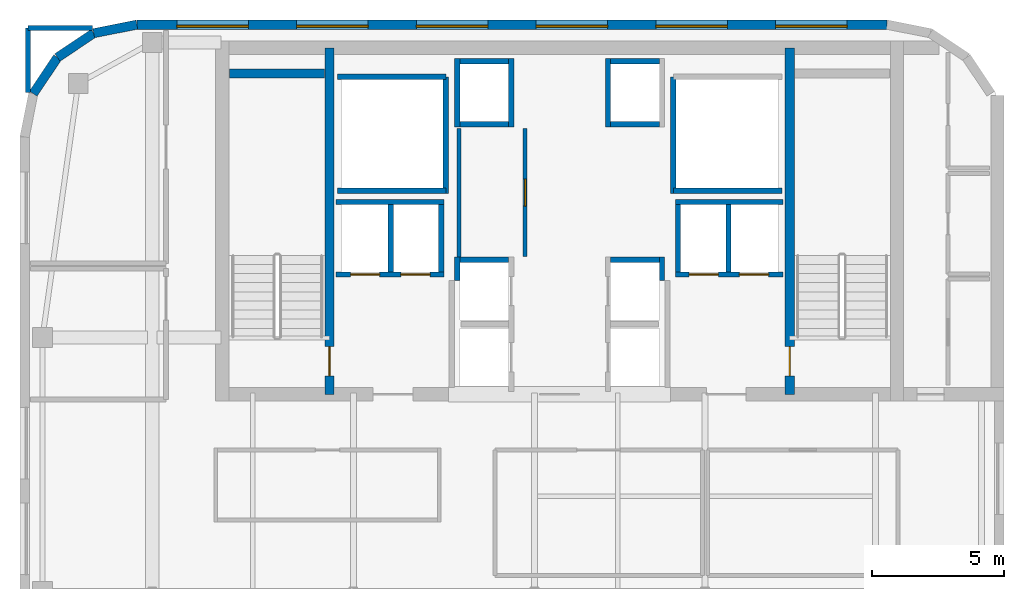
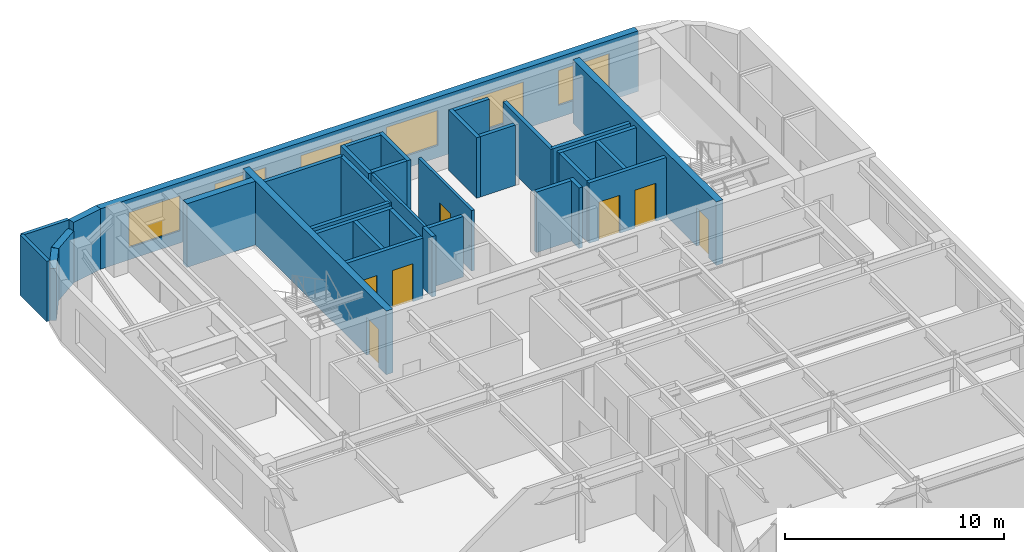
# One storey, part 6 of 8: 35 walls, 7 doors, 6 windows, 13 openings.
"""IFC4 building model written with IfcOpenShell, lengths in metres."""

from ifc_helpers import new_model, si_unit, direction, frame, frame_2d, origin, place, context, subcontext, project, spatial, rectangle, extrude, source, transform, mapped, material, layer, layer_set, type_object, type_shapes, element, fill, save


model = new_model("IFC4")

# Units and contexts
model_context = context("Model", 3, precision=1e-05, world=origin(), true_north=direction((0.0, 1.0)))
body_context = subcontext(model_context, "Body", "Model", "MODEL_VIEW")
ifc_project = project(units=[si_unit("LENGTHUNIT", "METRE"), si_unit("AREAUNIT", "SQUARE_METRE"), si_unit("VOLUMEUNIT", "CUBIC_METRE"), si_unit("PLANEANGLEUNIT", "RADIAN"), si_unit("MASSUNIT", "GRAM", prefix="KILO")], contexts=[model_context])

# Site, building, storey
site_placement = place(None, origin())
site = spatial("IfcSite", under=ifc_project, at=site_placement, CompositionType="ELEMENT")
building_placement = place(site_placement, origin())
building = spatial("IfcBuilding", under=site, at=building_placement, Name="Tolvann Quenvar Hotel", CompositionType="ELEMENT")
storey_placement = place(building_placement, frame((0.0, 0.0, 231.0)))
storey = spatial("IfcBuildingStorey", under=building, at=storey_placement, Name="L61", CompositionType="ELEMENT", Elevation=231.0)

# Wall, opening, door
ifc_material_1 = material(Name="Concrete S65 (65 MPa)", Category="concrete")
ifc_layer_1 = layer(ifc_material_1, 0.35009765625)
ifc_layer_set_1 = layer_set([ifc_layer_1], Name="Concrete S65 (65 MPa)")
wall_type_1 = type_object("IfcWallType", Name="WALL_CORE_INT_350", PredefinedType="SHEAR", material=ifc_layer_set_1)
wall_1_placement = place(storey_placement, frame((14.300048828125, 31.85009765625, 0.0), z_axis=(0.0, 0.0, 1.0), x_axis=(0.0, 1.0, 0.0)))
wall_1 = element("IfcWall", 1, at=wall_1_placement, inside=storey, type_object=wall_type_1, Name="Core Internal Web Shear Wall WEB-W (L61)", PredefinedType="SHEAR", context=body_context, shape_type="SweptSolid", body=[
    extrude(rectangle(XDim=13.099853515625, YDim=0.35009765625, at=frame_2d((6.5498046875, 0.0))), origin(), (0.0, 0.0, 1.0), 3.550048828125),
])
opening_1_placement = place(wall_1_placement, frame((0.699951171875, 0.0, 0.0)))
opening_1 = element("IfcOpeningElement", 2, at=opening_1_placement, cuts=wall_1, Name="Opening FD-120", PredefinedType="OPENING", context=body_context, shape_type="SweptSolid", body=[
    extrude(rectangle(XDim=1.10009765625, YDim=2.1201171875, at=frame_2d((0.550048828125, 1.06005859375))), frame((0.0, 0.18505859375, 0.0), z_axis=(0.0, -1.0, 0.0), x_axis=(1.0, 0.0, 0.0)), (0.0, 0.0, 1.0), 0.3701171875),
])
ifc_material_2 = material(Name="Pressed galvanised steel fire-rated door set", Category="steel")
door_type_1 = type_object("IfcDoorType", Name="DOOR_FIRE_STAIR_1100", OperationType="NOTDEFINED", PredefinedType="DOOR", material=ifc_material_2)
shared_shape_1 = source(origin(), body_context, "Body", "SweptSolid", [
    extrude(rectangle(XDim=1.10009765625, YDim=2.1201171875, at=frame_2d((0.550048828125, 1.06005859375))), frame((0.0, 0.02490234375, 0.0), z_axis=(0.0, -1.0, 0.0), x_axis=(1.0, 0.0, 0.0)), (0.0, 0.0, 1.0), 0.050048828125),
])
type_shapes(door_type_1, [shared_shape_1])
door_1_placement = place(opening_1_placement, origin())
door_1 = element("IfcDoor", 3, at=door_1_placement, inside=storey, type_object=door_type_1, Name="Exit Stair ST-C1 Fire Door (L61)", OperationType="SINGLE_SWING_RIGHT", OverallHeight=2.1201171875, OverallWidth=1.10009765625, PredefinedType="DOOR", context=body_context, shape_type="MappedRepresentation", body=[
    mapped(shared_shape_1, transform((0.0, 0.0, 0.0), x_axis=(1.0, 0.0, 0.0), y_axis=(0.0, 1.0, 0.0), z_axis=(0.0, 0.0, 1.0), scale=1.0)),
])
fill(opening_1, door_1)

wall_2_placement = place(storey_placement, frame((31.699951171875, 31.85009765625, 0.0), z_axis=(0.0, 0.0, 1.0), x_axis=(0.0, 1.0, 0.0)))
wall_2 = element("IfcWall", 4, at=wall_2_placement, inside=storey, type_object=wall_type_1, Name="Core Internal Web Shear Wall WEB-E (L61)", PredefinedType="SHEAR", context=body_context, shape_type="SweptSolid", body=[
    extrude(rectangle(XDim=13.099853515625, YDim=0.35009765625, at=frame_2d((6.5498046875, 0.0))), origin(), (0.0, 0.0, 1.0), 3.550048828125),
])
opening_2_placement = place(wall_2_placement, frame((1.800048828125, 0.0, 0.0), z_axis=(0.0, 0.0, 1.0), x_axis=(-1.0, 0.0, 0.0)))
opening_2 = element("IfcOpeningElement", 5, at=opening_2_placement, cuts=wall_2, Name="Opening FD-120", PredefinedType="OPENING", context=body_context, shape_type="SweptSolid", body=[
    extrude(rectangle(XDim=1.10009765625, YDim=2.1201171875, at=frame_2d((0.550048828125, 1.06005859375))), frame((0.0, 0.18505859375, 0.0), z_axis=(0.0, -1.0, 0.0), x_axis=(1.0, 0.0, 0.0)), (0.0, 0.0, 1.0), 0.3701171875),
])
door_2_placement = place(opening_2_placement, origin())
door_2 = element("IfcDoor", 6, at=door_2_placement, inside=storey, type_object=door_type_1, Name="Exit Stair ST-C2 Fire Door (L61)", OperationType="SINGLE_SWING_LEFT", OverallHeight=2.1201171875, OverallWidth=1.10009765625, PredefinedType="DOOR", context=body_context, shape_type="MappedRepresentation", body=[
    mapped(shared_shape_1, transform((0.0, 0.0, 0.0), x_axis=(1.0, 0.0, 0.0), y_axis=(0.0, 1.0, 0.0), z_axis=(0.0, 0.0, 1.0), scale=1.0)),
])
fill(opening_2, door_2)

# Wall
wall_3_placement = place(storey_placement, frame((10.52001953125, 43.97509765625, 0.0), z_axis=(0.0, 0.0, 1.0), x_axis=(1.0, 0.0, 0.0)))
element("IfcWall", 7, at=wall_3_placement, inside=storey, type_object=wall_type_1, Name="Core Stair North Closing Shear Wall STC1-N (L61)", PredefinedType="SHEAR", context=body_context, shape_type="SweptSolid", body=[
    extrude(rectangle(XDim=3.60009765625, YDim=0.35009765625, at=frame_2d((1.800048828125, 0.0))), origin(), (0.0, 0.0, 1.0), 3.550048828125),
])

# Wall, openings, windows
ifc_material_3 = material(Name="Kiln-fired red and buff architectural clay brickwork and terracotta masonry", Category="masonry")
ifc_layer_2 = layer(ifc_material_3, 0.35009765625)
ifc_layer_set_2 = layer_set([ifc_layer_2], Name="Kiln-fired red and buff architectural clay brickwork and terracotta masonry")
wall_type_2 = type_object("IfcWallType", Name="WALL_EXT_BRICK_350", PredefinedType="SOLIDWALL", material=ifc_layer_set_2)
wall_4_placement = place(storey_placement, frame((35.3828125, 45.824951171875, 0.0), z_axis=(0.0, 0.0, 1.0), x_axis=(-1.0, 0.0, 0.0)))
wall_4 = element("IfcWall", 8, at=wall_4_placement, inside=storey, type_object=wall_type_2, Name="Exterior Chicago Brick Wall L61-E14", PredefinedType="SOLIDWALL", context=body_context, shape_type="SweptSolid", body=[
    extrude(rectangle(XDim=28.36572265625, YDim=0.35009765625, at=frame_2d((14.182861328125, 0.0))), origin(), (0.0, 0.0, 1.0), 3.3701171875),
])
opening_3_placement = place(wall_4_placement, frame((1.513916015625, 0.0, 0.679931640625)))
opening_3 = element("IfcOpeningElement", 9, at=opening_3_placement, cuts=wall_4, Name="Opening W-04", PredefinedType="OPENING", context=body_context, shape_type="SweptSolid", body=[
    extrude(rectangle(XDim=2.699951171875, YDim=1.949951171875, at=frame_2d((1.35009765625, 0.97509765625))), frame((0.0, 0.18505859375, 0.0), z_axis=(0.0, -1.0, 0.0), x_axis=(1.0, 0.0, 0.0)), (0.0, 0.0, 1.0), 0.3701171875),
])
opening_4_placement = place(wall_4_placement, frame((6.041015625, 0.0, 0.679931640625)))
opening_4 = element("IfcOpeningElement", 10, at=opening_4_placement, cuts=wall_4, Name="Opening W-04", PredefinedType="OPENING", context=body_context, shape_type="SweptSolid", body=[
    extrude(rectangle(XDim=2.699951171875, YDim=1.949951171875, at=frame_2d((1.35009765625, 0.97509765625))), frame((0.0, 0.18505859375, 0.0), z_axis=(0.0, -1.0, 0.0), x_axis=(1.0, 0.0, 0.0)), (0.0, 0.0, 1.0), 0.3701171875),
])
opening_5_placement = place(wall_4_placement, frame((10.569091796875, 0.0, 0.679931640625)))
opening_5 = element("IfcOpeningElement", 11, at=opening_5_placement, cuts=wall_4, Name="Opening W-04", PredefinedType="OPENING", context=body_context, shape_type="SweptSolid", body=[
    extrude(rectangle(XDim=2.699951171875, YDim=1.949951171875, at=frame_2d((1.35009765625, 0.97509765625))), frame((0.0, 0.18505859375, 0.0), z_axis=(0.0, -1.0, 0.0), x_axis=(1.0, 0.0, 0.0)), (0.0, 0.0, 1.0), 0.3701171875),
])
opening_6_placement = place(wall_4_placement, frame((15.096923828125, 0.0, 0.679931640625)))
opening_6 = element("IfcOpeningElement", 12, at=opening_6_placement, cuts=wall_4, Name="Opening W-04", PredefinedType="OPENING", context=body_context, shape_type="SweptSolid", body=[
    extrude(rectangle(XDim=2.699951171875, YDim=1.949951171875, at=frame_2d((1.35009765625, 0.97509765625))), frame((0.0, 0.18505859375, 0.0), z_axis=(0.0, -1.0, 0.0), x_axis=(1.0, 0.0, 0.0)), (0.0, 0.0, 1.0), 0.3701171875),
])
opening_7_placement = place(wall_4_placement, frame((19.6240234375, 0.0, 0.679931640625)))
opening_7 = element("IfcOpeningElement", 13, at=opening_7_placement, cuts=wall_4, Name="Opening W-04", PredefinedType="OPENING", context=body_context, shape_type="SweptSolid", body=[
    extrude(rectangle(XDim=2.699951171875, YDim=1.949951171875, at=frame_2d((1.35009765625, 0.97509765625))), frame((0.0, 0.18505859375, 0.0), z_axis=(0.0, -1.0, 0.0), x_axis=(1.0, 0.0, 0.0)), (0.0, 0.0, 1.0), 0.3701171875),
])
opening_8_placement = place(wall_4_placement, frame((24.152099609375, 0.0, 0.679931640625)))
opening_8 = element("IfcOpeningElement", 14, at=opening_8_placement, cuts=wall_4, Name="Opening W-04", PredefinedType="OPENING", context=body_context, shape_type="SweptSolid", body=[
    extrude(rectangle(XDim=2.699951171875, YDim=1.949951171875, at=frame_2d((1.35009765625, 0.97509765625))), frame((0.0, 0.18505859375, 0.0), z_axis=(0.0, -1.0, 0.0), x_axis=(1.0, 0.0, 0.0)), (0.0, 0.0, 1.0), 0.3701171875),
])
ifc_material_4 = material(Name="Thermally broken bronze-anodised aluminium frame with double low-E glazing", Category="aluminium")
window_type = type_object("IfcWindowType", Name="WIN_STE_2700x2150", PartitioningType="TRIPLE_PANEL_HORIZONTAL", PredefinedType="WINDOW", material=ifc_material_4)
shared_shape_2 = source(origin(), body_context, "Body", "SweptSolid", [
    extrude(rectangle(XDim=2.699951171875, YDim=1.949951171875, at=frame_2d((1.35009765625, 0.97509765625))), frame((0.0, 0.090087890625, 0.0), z_axis=(0.0, -1.0, 0.0), x_axis=(1.0, 0.0, 0.0)), (0.0, 0.0, 1.0), 0.06005859375),
])
type_shapes(window_type, [shared_shape_2])
window_1_placement = place(opening_3_placement, origin())
window_1 = element("IfcWindow", 15, at=window_1_placement, inside=storey, type_object=window_type, Name="Chicago Window W-04 (EW-L61-E14-W01)", OverallHeight=1.949951171875, OverallWidth=2.699951171875, PartitioningType="TRIPLE_PANEL_HORIZONTAL", PredefinedType="WINDOW", context=body_context, shape_type="MappedRepresentation", body=[
    mapped(shared_shape_2, transform((0.0, 0.0, 0.0), x_axis=(1.0, 0.0, 0.0), y_axis=(0.0, 1.0, 0.0), z_axis=(0.0, 0.0, 1.0), scale=1.0)),
])
fill(opening_3, window_1)
window_2_placement = place(opening_4_placement, origin())
window_2 = element("IfcWindow", 16, at=window_2_placement, inside=storey, type_object=window_type, Name="Chicago Window W-04 (EW-L61-E14-W02)", OverallHeight=1.949951171875, OverallWidth=2.699951171875, PartitioningType="TRIPLE_PANEL_HORIZONTAL", PredefinedType="WINDOW", context=body_context, shape_type="MappedRepresentation", body=[
    mapped(shared_shape_2, transform((0.0, 0.0, 0.0), x_axis=(1.0, 0.0, 0.0), y_axis=(0.0, 1.0, 0.0), z_axis=(0.0, 0.0, 1.0), scale=1.0)),
])
fill(opening_4, window_2)
window_3_placement = place(opening_5_placement, origin())
window_3 = element("IfcWindow", 17, at=window_3_placement, inside=storey, type_object=window_type, Name="Chicago Window W-04 (EW-L61-E14-W03)", OverallHeight=1.949951171875, OverallWidth=2.699951171875, PartitioningType="TRIPLE_PANEL_HORIZONTAL", PredefinedType="WINDOW", context=body_context, shape_type="MappedRepresentation", body=[
    mapped(shared_shape_2, transform((0.0, 0.0, 0.0), x_axis=(1.0, 0.0, 0.0), y_axis=(0.0, 1.0, 0.0), z_axis=(0.0, 0.0, 1.0), scale=1.0)),
])
fill(opening_5, window_3)
window_4_placement = place(opening_6_placement, origin())
window_4 = element("IfcWindow", 18, at=window_4_placement, inside=storey, type_object=window_type, Name="Chicago Window W-04 (EW-L61-E14-W04)", OverallHeight=1.949951171875, OverallWidth=2.699951171875, PartitioningType="TRIPLE_PANEL_HORIZONTAL", PredefinedType="WINDOW", context=body_context, shape_type="MappedRepresentation", body=[
    mapped(shared_shape_2, transform((0.0, 0.0, 0.0), x_axis=(1.0, 0.0, 0.0), y_axis=(0.0, 1.0, 0.0), z_axis=(0.0, 0.0, 1.0), scale=1.0)),
])
fill(opening_6, window_4)
window_5_placement = place(opening_7_placement, origin())
window_5 = element("IfcWindow", 19, at=window_5_placement, inside=storey, type_object=window_type, Name="Chicago Window W-04 (EW-L61-E14-W05)", OverallHeight=1.949951171875, OverallWidth=2.699951171875, PartitioningType="TRIPLE_PANEL_HORIZONTAL", PredefinedType="WINDOW", context=body_context, shape_type="MappedRepresentation", body=[
    mapped(shared_shape_2, transform((0.0, 0.0, 0.0), x_axis=(1.0, 0.0, 0.0), y_axis=(0.0, 1.0, 0.0), z_axis=(0.0, 0.0, 1.0), scale=1.0)),
])
fill(opening_7, window_5)
window_6_placement = place(opening_8_placement, origin())
window_6 = element("IfcWindow", 20, at=window_6_placement, inside=storey, type_object=window_type, Name="Chicago Window W-04 (EW-L61-E14-W06)", OverallHeight=1.949951171875, OverallWidth=2.699951171875, PartitioningType="TRIPLE_PANEL_HORIZONTAL", PredefinedType="WINDOW", context=body_context, shape_type="MappedRepresentation", body=[
    mapped(shared_shape_2, transform((0.0, 0.0, 0.0), x_axis=(1.0, 0.0, 0.0), y_axis=(0.0, 1.0, 0.0), z_axis=(0.0, 0.0, 1.0), scale=1.0)),
])
fill(opening_8, window_6)

# Walls
wall_5_placement = place(storey_placement, frame((7.01708984375, 45.824951171875, 0.0), z_axis=(0.0, 0.0, 1.0), x_axis=(-0.980788844421, -0.195072403631, 0.0)))
element("IfcWall", 21, at=wall_5_placement, inside=storey, type_object=wall_type_2, Name="Exterior Chicago Brick Wall L61-E15", PredefinedType="SOLIDWALL", context=body_context, shape_type="SweptSolid", body=[
    extrude(rectangle(XDim=1.66455078125, YDim=0.35009765625, at=frame_2d((0.832275390625, 0.0))), origin(), (0.0, 0.0, 1.0), 3.3701171875),
])
for number, where, z_axis, x_axis, name in (
    (22, (5.384521484375, 45.500244140625, 0.0), (0.0, 0.0, 1.0), (-0.831502623162, -0.555520825599, 0.0), "Exterior Chicago Brick Wall L61-E16"),
    (23, (4.014892578125, 44.585205078125, 0.0), (0.0, 0.0, 1.0), (-0.555623290322, -0.831434158098, 0.0), "Exterior Chicago Brick Wall L61-E17"),
):
    element("IfcWall", number, at=place(storey_placement, frame(where, z_axis=z_axis, x_axis=x_axis)), inside=storey, type_object=wall_type_2, Name=name, PredefinedType="SOLIDWALL", context=body_context, shape_type="SweptSolid", body=[
        extrude(rectangle(XDim=1.647216796875, YDim=0.35009765625, at=frame_2d((0.82373046875, 0.0))), origin(), (0.0, 0.0, 1.0), 2.89990234375),
    ])
ifc_material_5 = material(Name="Acoustic twin-stud fire-rated gypsum plasterboard partition")
ifc_layer_3 = layer(ifc_material_5, 0.179931640625)
ifc_layer_set_3 = layer_set([ifc_layer_3], Name="Acoustic twin-stud fire-rated gypsum plasterboard partition")
wall_type_3 = type_object("IfcWallType", Name="WALL_PART_ACOUSTIC_180", PredefinedType="PARTITIONING", material=ifc_layer_set_3)
for number, where, z_axis, x_axis, name in (
    (24, (2.89990234375, 45.699951171875, 0.0), (0.0, 0.0, 1.0), (1.0, 0.0, 0.0), "Interior Partition PT-SPC-L61-STD-N"),
    (25, (2.89990234375, 43.2548828125, 0.0), (0.0, 0.0, 1.0), (0.0, 1.0, 0.0), "Interior Partition PT-SPC-L61-STD-W"),
):
    element("IfcWall", number, at=place(storey_placement, frame(where, z_axis=z_axis, x_axis=x_axis)), inside=storey, type_object=wall_type_3, Name=name, PredefinedType="PARTITIONING", context=body_context, shape_type="SweptSolid", body=[
        extrude(rectangle(XDim=2.445068359375, YDim=0.179931640625, at=frame_2d((1.22265625, 0.0))), origin(), (0.0, 0.0, 1.0), 3.3701171875),
    ])

# Wall, opening, door
ifc_layer_4 = layer(ifc_material_5, 0.14990234375)
ifc_layer_set_4 = layer_set([ifc_layer_4], Name="Acoustic twin-stud fire-rated gypsum plasterboard partition")
wall_type_4 = type_object("IfcWallType", Name="WALL_PART_SUITE_150", PredefinedType="PARTITIONING", material=ifc_layer_set_4)
wall_6_placement = place(storey_placement, frame((21.699951171875, 37.050048828125, 0.0), z_axis=(0.0, 0.0, 1.0), x_axis=(0.0, 1.0, 0.0)))
wall_6 = element("IfcWall", 26, at=wall_6_placement, inside=storey, type_object=wall_type_4, Name="Interior Partition PT-SPC-L61-RECPM-1-ENT", PredefinedType="PARTITIONING", context=body_context, shape_type="SweptSolid", body=[
    extrude(rectangle(XDim=4.849853515625, YDim=0.14990234375, at=frame_2d((2.4248046875, 0.0))), origin(), (0.0, 0.0, 1.0), 3.3701171875),
])
opening_9_placement = place(wall_6_placement, frame((1.9150390625, 0.0, 0.0)))
opening_9 = element("IfcOpeningElement", 27, at=opening_9_placement, cuts=wall_6, Name="Opening HD-01", PredefinedType="OPENING", context=body_context, shape_type="SweptSolid", body=[
    extrude(rectangle(XDim=1.02001953125, YDim=2.030029296875, at=frame_2d((0.510009765625, 1.01513671875))), frame((0.0, 0.0849609375, 0.0), z_axis=(0.0, -1.0, 0.0), x_axis=(1.0, 0.0, 0.0)), (0.0, 0.0, 1.0), 0.169921875),
])
door_type_2 = type_object("IfcDoorType", Name="DOOR_BOH_1020", OperationType="NOTDEFINED", PredefinedType="DOOR", material=ifc_material_2)
shared_shape_3 = source(origin(), body_context, "Body", "SweptSolid", [
    extrude(rectangle(XDim=1.02001953125, YDim=2.030029296875, at=frame_2d((0.510009765625, 1.01513671875))), frame((0.0, 0.02490234375, 0.0), z_axis=(0.0, -1.0, 0.0), x_axis=(1.0, 0.0, 0.0)), (0.0, 0.0, 1.0), 0.050048828125),
])
type_shapes(door_type_2, [shared_shape_3])
door_3_placement = place(opening_9_placement, origin())
door_3 = element("IfcDoor", 28, at=door_3_placement, inside=storey, type_object=door_type_2, Name="Interior Door DOOR-SPC-L61-RECPM-1", OperationType="SINGLE_SWING_RIGHT", OverallHeight=2.030029296875, OverallWidth=1.02001953125, PredefinedType="DOOR", context=body_context, shape_type="MappedRepresentation", body=[
    mapped(shared_shape_3, transform((0.0, 0.0, 0.0), x_axis=(1.0, 0.0, 0.0), y_axis=(0.0, 1.0, 0.0), z_axis=(0.0, 0.0, 1.0), scale=1.0)),
])
fill(opening_9, door_3)

# Walls
wall_7_placement = place(storey_placement, frame((19.199951171875, 37.0400390625, 0.0), z_axis=(0.0, 0.0, 1.0), x_axis=(0.0, 1.0, 0.0)))
element("IfcWall", 29, at=wall_7_placement, inside=storey, type_object=wall_type_4, Name="Interior Partition PT-SPC-L61-RECPM-1-W", PredefinedType="PARTITIONING", context=body_context, shape_type="SweptSolid", body=[
    extrude(rectangle(XDim=4.85986328125, YDim=0.14990234375, at=frame_2d((2.429931640625, 0.0))), origin(), (0.0, 0.0, 1.0), 3.3701171875),
])
ifc_material_6 = material(Name="Concrete N40 (40 MPa)", Category="concrete")
ifc_layer_5 = layer(ifc_material_6, 0.199951171875)
ifc_layer_set_5 = layer_set([ifc_layer_5], Name="Concrete N40 (40 MPa)")
wall_type_5 = type_object("IfcWallType", Name="WALL_SHAFT_200", PredefinedType="SOLIDWALL", material=ifc_layer_set_5)
wall_8_placement = place(storey_placement, frame((18.699951171875, 39.449951171875, 0.0), z_axis=(0.0, 0.0, 1.0), x_axis=(0.0, 1.0, 0.0)))
element("IfcWall", 30, at=wall_8_placement, inside=storey, type_object=wall_type_5, Name="Service Riser W Shaft Wall IN (L61)", PredefinedType="SOLIDWALL", context=body_context, shape_type="SweptSolid", body=[
    extrude(rectangle(XDim=4.400146484375, YDim=0.199951171875, at=frame_2d((2.2001953125, 0.0))), origin(), (0.0, 0.0, 1.0), 3.3701171875),
])
for number, where, z_axis, x_axis, name in (
    (31, (14.60009765625, 39.550048828125, 0.0), (0.0, 0.0, 1.0), (1.0, 0.0, 0.0), "Service Riser W Shaft Wall S (L61)"),
    (32, (14.60009765625, 43.85009765625, 0.0), (0.0, 0.0, 1.0), (1.0, 0.0, 0.0), "Service Riser W Shaft Wall N (L61)"),
):
    element("IfcWall", number, at=place(storey_placement, frame(where, z_axis=z_axis, x_axis=x_axis)), inside=storey, type_object=wall_type_5, Name=name, PredefinedType="SOLIDWALL", context=body_context, shape_type="SweptSolid", body=[
        extrude(rectangle(XDim=4.099853515625, YDim=0.199951171875, at=frame_2d((2.0498046875, 0.0))), origin(), (0.0, 0.0, 1.0), 3.3701171875),
    ])
wall_9_placement = place(storey_placement, frame((27.300048828125, 39.449951171875, 0.0), z_axis=(0.0, 0.0, 1.0), x_axis=(0.0, 1.0, 0.0)))
element("IfcWall", 33, at=wall_9_placement, inside=storey, type_object=wall_type_5, Name="Service Riser E Shaft Wall IN (L61)", PredefinedType="SOLIDWALL", context=body_context, shape_type="SweptSolid", body=[
    extrude(rectangle(XDim=4.400146484375, YDim=0.199951171875, at=frame_2d((2.2001953125, 0.0))), origin(), (0.0, 0.0, 1.0), 3.3701171875),
])
wall_10_placement = place(storey_placement, frame((27.300048828125, 39.550048828125, 0.0), z_axis=(0.0, 0.0, 1.0), x_axis=(1.0, 0.0, 0.0)))
element("IfcWall", 34, at=wall_10_placement, inside=storey, type_object=wall_type_5, Name="Service Riser E Shaft Wall S (L61)", PredefinedType="SOLIDWALL", context=body_context, shape_type="SweptSolid", body=[
    extrude(rectangle(XDim=4.099853515625, YDim=0.199951171875, at=frame_2d((2.0498046875, 0.0))), origin(), (0.0, 0.0, 1.0), 3.3701171875),
])
wall_11_placement = place(storey_placement, frame((19.1298828125, 36.159912109375, 0.0), z_axis=(0.0, 0.0, 1.0), x_axis=(0.0, 1.0, 0.0)))
element("IfcWall", 35, at=wall_11_placement, inside=storey, type_object=wall_type_5, Name="Lift Bank E21.1C1 Hoistway Rear Wall (L61)", PredefinedType="SOLIDWALL", context=body_context, shape_type="SweptSolid", body=[
    extrude(rectangle(XDim=0.880126953125, YDim=0.199951171875, at=frame_2d((0.43994140625, 0.0))), origin(), (0.0, 0.0, 1.0), 3.3701171875),
])
wall_12_placement = place(storey_placement, frame((19.22998046875, 36.93994140625, 0.0), z_axis=(0.0, 0.0, 1.0), x_axis=(1.0, 0.0, 0.0)))
element("IfcWall", 36, at=wall_12_placement, inside=storey, type_object=wall_type_5, Name="Lift Bank E21.1C1 Hoistway Cheek Wall 2 (L61)", PredefinedType="SOLIDWALL", context=body_context, shape_type="SweptSolid", body=[
    extrude(rectangle(XDim=1.840087890625, YDim=0.199951171875, at=frame_2d((0.919921875, 0.0))), origin(), (0.0, 0.0, 1.0), 3.3701171875),
])
for number, where, z_axis, x_axis, name in (
    (37, (21.169921875, 41.9599609375, 0.0), (0.0, 0.0, 1.0), (0.0, 1.0, 0.0), "Lift Bank E21.1C2 Hoistway Front Wall (L61)"),
    (38, (19.1298828125, 41.9599609375, 0.0), (0.0, 0.0, 1.0), (0.0, 1.0, 0.0), "Lift Bank E21.1C2 Hoistway Rear Wall (L61)"),
):
    element("IfcWall", number, at=place(storey_placement, frame(where, z_axis=z_axis, x_axis=x_axis)), inside=storey, type_object=wall_type_5, Name=name, PredefinedType="SOLIDWALL", context=body_context, shape_type="SweptSolid", body=[
        extrude(rectangle(XDim=2.580078125, YDim=0.199951171875, at=frame_2d((1.2900390625, 0.0))), origin(), (0.0, 0.0, 1.0), 3.3701171875),
    ])
for number, where, z_axis, x_axis, name in (
    (39, (19.22998046875, 42.06005859375, 0.0), (0.0, 0.0, 1.0), (1.0, 0.0, 0.0), "Lift Bank E21.1C2 Hoistway Cheek Wall 1 (L61)"),
    (40, (19.22998046875, 44.43994140625, 0.0), (0.0, 0.0, 1.0), (1.0, 0.0, 0.0), "Lift Bank E21.1C2 Hoistway Cheek Wall 2 (L61)"),
):
    element("IfcWall", number, at=place(storey_placement, frame(where, z_axis=z_axis, x_axis=x_axis)), inside=storey, type_object=wall_type_5, Name=name, PredefinedType="SOLIDWALL", context=body_context, shape_type="SweptSolid", body=[
        extrude(rectangle(XDim=1.840087890625, YDim=0.199951171875, at=frame_2d((0.919921875, 0.0))), origin(), (0.0, 0.0, 1.0), 3.3701171875),
    ])

# Wall, openings, doors
wall_13_placement = place(storey_placement, frame((27.375, 36.3798828125, 0.0), z_axis=(0.0, 0.0, 1.0), x_axis=(1.0, 0.0, 0.0)))
wall_13 = element("IfcWall", 41, at=wall_13_placement, inside=storey, type_object=wall_type_5, Name="Lift Bank SEC1 Hoistway Front Wall (L61)", PredefinedType="SOLIDWALL", context=body_context, shape_type="SweptSolid", body=[
    extrude(rectangle(XDim=4.074951171875, YDim=0.199951171875, at=frame_2d((2.03759765625, 0.0))), origin(), (0.0, 0.0, 1.0), 3.3701171875),
])
opening_10_placement = place(wall_13_placement, frame((0.52490234375, 0.0, 0.0)))
opening_10 = element("IfcOpeningElement", 42, at=opening_10_placement, cuts=wall_13, Name="Opening LD-01", PredefinedType="OPENING", context=body_context, shape_type="SweptSolid", body=[
    extrude(rectangle(XDim=1.10009765625, YDim=2.1201171875, at=frame_2d((0.550048828125, 1.06005859375))), frame((0.0, 0.10986328125, 0.0), z_axis=(0.0, -1.0, 0.0), x_axis=(1.0, 0.0, 0.0)), (0.0, 0.0, 1.0), 0.219970703125),
])
opening_11_placement = place(wall_13_placement, frame((2.425048828125, 0.0, 0.0)))
opening_11 = element("IfcOpeningElement", 43, at=opening_11_placement, cuts=wall_13, Name="Opening LD-01", PredefinedType="OPENING", context=body_context, shape_type="SweptSolid", body=[
    extrude(rectangle(XDim=1.10009765625, YDim=2.1201171875, at=frame_2d((0.550048828125, 1.06005859375))), frame((0.0, 0.10986328125, 0.0), z_axis=(0.0, -1.0, 0.0), x_axis=(1.0, 0.0, 0.0)), (0.0, 0.0, 1.0), 0.219970703125),
])
ifc_material_7 = material(Name="Brushed 316 stainless steel automatic sliding lift landing door", Category="steel")
door_type_3 = type_object("IfcDoorType", Name="DOOR_LIFT_SLIDE_1100", OperationType="NOTDEFINED", PredefinedType="DOOR", material=ifc_material_7)
shared_shape_4 = source(origin(), body_context, "Body", "SweptSolid", [
    extrude(rectangle(XDim=1.10009765625, YDim=2.1201171875, at=frame_2d((0.550048828125, 1.06005859375))), frame((0.0, 0.02490234375, 0.0), z_axis=(0.0, -1.0, 0.0), x_axis=(1.0, 0.0, 0.0)), (0.0, 0.0, 1.0), 0.050048828125),
])
type_shapes(door_type_3, [shared_shape_4])
door_4_placement = place(opening_10_placement, origin())
door_4 = element("IfcDoor", 44, at=door_4_placement, inside=storey, type_object=door_type_3, Name="Lift SV-2 Sliding Landing Door (L61)", OperationType="SLIDING_TO_LEFT", OverallHeight=2.1201171875, OverallWidth=1.10009765625, PredefinedType="DOOR", context=body_context, shape_type="MappedRepresentation", body=[
    mapped(shared_shape_4, transform((0.0, 0.0, 0.0), x_axis=(1.0, 0.0, 0.0), y_axis=(0.0, 1.0, 0.0), z_axis=(0.0, 0.0, 1.0), scale=1.0)),
])
fill(opening_10, door_4)
door_5_placement = place(opening_11_placement, origin())
door_5 = element("IfcDoor", 45, at=door_5_placement, inside=storey, type_object=door_type_3, Name="Lift FF-2 Sliding Landing Door (L61)", OperationType="SLIDING_TO_RIGHT", OverallHeight=2.1201171875, OverallWidth=1.10009765625, PredefinedType="DOOR", context=body_context, shape_type="MappedRepresentation", body=[
    mapped(shared_shape_4, transform((0.0, 0.0, 0.0), x_axis=(1.0, 0.0, 0.0), y_axis=(0.0, 1.0, 0.0), z_axis=(0.0, 0.0, 1.0), scale=1.0)),
])
fill(opening_11, door_5)

# Walls
wall_14_placement = place(storey_placement, frame((27.375, 39.1201171875, 0.0), z_axis=(0.0, 0.0, 1.0), x_axis=(1.0, 0.0, 0.0)))
element("IfcWall", 46, at=wall_14_placement, inside=storey, type_object=wall_type_5, Name="Lift Bank SEC1 Hoistway Rear Wall (L61)", PredefinedType="SOLIDWALL", context=body_context, shape_type="SweptSolid", body=[
    extrude(rectangle(XDim=4.074951171875, YDim=0.199951171875, at=frame_2d((2.03759765625, 0.0))), origin(), (0.0, 0.0, 1.0), 3.3701171875),
])
for number, where, z_axis, x_axis, name in (
    (47, (27.47509765625, 36.47998046875, 0.0), (0.0, 0.0, 1.0), (0.0, 1.0, 0.0), "Lift Bank SEC1 Hoistway Cheek Wall 1 (L61)"),
    (48, (29.387451171875, 36.47998046875, 0.0), (0.0, 0.0, 1.0), (0.0, 1.0, 0.0), "Lift Bank SEC1 Divider Wall 1 (L61)"),
):
    element("IfcWall", number, at=place(storey_placement, frame(where, z_axis=z_axis, x_axis=x_axis)), inside=storey, type_object=wall_type_5, Name=name, PredefinedType="SOLIDWALL", context=body_context, shape_type="SweptSolid", body=[
        extrude(rectangle(XDim=2.5400390625, YDim=0.199951171875, at=frame_2d((1.27001953125, 0.0))), origin(), (0.0, 0.0, 1.0), 3.3701171875),
    ])

# Wall, openings, doors
wall_15_placement = place(storey_placement, frame((14.550048828125, 36.3798828125, 0.0), z_axis=(0.0, 0.0, 1.0), x_axis=(1.0, 0.0, 0.0)))
wall_15 = element("IfcWall", 49, at=wall_15_placement, inside=storey, type_object=wall_type_5, Name="Lift Bank SWC1 Hoistway Front Wall (L61)", PredefinedType="SOLIDWALL", context=body_context, shape_type="SweptSolid", body=[
    extrude(rectangle(XDim=4.074951171875, YDim=0.199951171875, at=frame_2d((2.03759765625, 0.0))), origin(), (0.0, 0.0, 1.0), 3.3701171875),
])
opening_12_placement = place(wall_15_placement, frame((0.550048828125, 0.0, 0.0)))
opening_12 = element("IfcOpeningElement", 50, at=opening_12_placement, cuts=wall_15, Name="Opening LD-01", PredefinedType="OPENING", context=body_context, shape_type="SweptSolid", body=[
    extrude(rectangle(XDim=1.10009765625, YDim=2.1201171875, at=frame_2d((0.550048828125, 1.06005859375))), frame((0.0, 0.10986328125, 0.0), z_axis=(0.0, -1.0, 0.0), x_axis=(1.0, 0.0, 0.0)), (0.0, 0.0, 1.0), 0.219970703125),
])
opening_13_placement = place(wall_15_placement, frame((2.449951171875, 0.0, 0.0)))
opening_13 = element("IfcOpeningElement", 51, at=opening_13_placement, cuts=wall_15, Name="Opening LD-01", PredefinedType="OPENING", context=body_context, shape_type="SweptSolid", body=[
    extrude(rectangle(XDim=1.10009765625, YDim=2.1201171875, at=frame_2d((0.550048828125, 1.06005859375))), frame((0.0, 0.10986328125, 0.0), z_axis=(0.0, -1.0, 0.0), x_axis=(1.0, 0.0, 0.0)), (0.0, 0.0, 1.0), 0.219970703125),
])
door_6_placement = place(opening_12_placement, origin())
door_6 = element("IfcDoor", 52, at=door_6_placement, inside=storey, type_object=door_type_3, Name="Lift FF-1 Sliding Landing Door (L61)", OperationType="SLIDING_TO_LEFT", OverallHeight=2.1201171875, OverallWidth=1.10009765625, PredefinedType="DOOR", context=body_context, shape_type="MappedRepresentation", body=[
    mapped(shared_shape_4, transform((0.0, 0.0, 0.0), x_axis=(1.0, 0.0, 0.0), y_axis=(0.0, 1.0, 0.0), z_axis=(0.0, 0.0, 1.0), scale=1.0)),
])
fill(opening_12, door_6)
door_7_placement = place(opening_13_placement, origin())
door_7 = element("IfcDoor", 53, at=door_7_placement, inside=storey, type_object=door_type_3, Name="Lift SV-1 Sliding Landing Door (L61)", OperationType="SLIDING_TO_RIGHT", OverallHeight=2.1201171875, OverallWidth=1.10009765625, PredefinedType="DOOR", context=body_context, shape_type="MappedRepresentation", body=[
    mapped(shared_shape_4, transform((0.0, 0.0, 0.0), x_axis=(1.0, 0.0, 0.0), y_axis=(0.0, 1.0, 0.0), z_axis=(0.0, 0.0, 1.0), scale=1.0)),
])
fill(opening_13, door_7)

# Walls
wall_16_placement = place(storey_placement, frame((14.550048828125, 39.1201171875, 0.0), z_axis=(0.0, 0.0, 1.0), x_axis=(1.0, 0.0, 0.0)))
element("IfcWall", 54, at=wall_16_placement, inside=storey, type_object=wall_type_5, Name="Lift Bank SWC1 Hoistway Rear Wall (L61)", PredefinedType="SOLIDWALL", context=body_context, shape_type="SweptSolid", body=[
    extrude(rectangle(XDim=4.074951171875, YDim=0.199951171875, at=frame_2d((2.03759765625, 0.0))), origin(), (0.0, 0.0, 1.0), 3.3701171875),
])
for number, where, z_axis, x_axis, name in (
    (55, (18.52490234375, 36.47998046875, 0.0), (0.0, 0.0, 1.0), (0.0, 1.0, 0.0), "Lift Bank SWC1 Hoistway Cheek Wall 2 (L61)"),
    (56, (16.612548828125, 36.47998046875, 0.0), (0.0, 0.0, 1.0), (0.0, 1.0, 0.0), "Lift Bank SWC1 Divider Wall 1 (L61)"),
):
    element("IfcWall", number, at=place(storey_placement, frame(where, z_axis=z_axis, x_axis=x_axis)), inside=storey, type_object=wall_type_5, Name=name, PredefinedType="SOLIDWALL", context=body_context, shape_type="SweptSolid", body=[
        extrude(rectangle(XDim=2.5400390625, YDim=0.199951171875, at=frame_2d((1.27001953125, 0.0))), origin(), (0.0, 0.0, 1.0), 3.3701171875),
    ])
wall_17_placement = place(storey_placement, frame((26.8701171875, 36.159912109375, 0.0), z_axis=(0.0, 0.0, 1.0), x_axis=(0.0, 1.0, 0.0)))
element("IfcWall", 57, at=wall_17_placement, inside=storey, type_object=wall_type_5, Name="Lift Bank W24.9C1 Hoistway Rear Wall (L61)", PredefinedType="SOLIDWALL", context=body_context, shape_type="SweptSolid", body=[
    extrude(rectangle(XDim=0.880126953125, YDim=0.199951171875, at=frame_2d((0.43994140625, 0.0))), origin(), (0.0, 0.0, 1.0), 3.3701171875),
])
wall_18_placement = place(storey_placement, frame((24.929931640625, 36.93994140625, 0.0), z_axis=(0.0, 0.0, 1.0), x_axis=(1.0, 0.0, 0.0)))
element("IfcWall", 58, at=wall_18_placement, inside=storey, type_object=wall_type_5, Name="Lift Bank W24.9C1 Hoistway Cheek Wall 2 (L61)", PredefinedType="SOLIDWALL", context=body_context, shape_type="SweptSolid", body=[
    extrude(rectangle(XDim=1.840087890625, YDim=0.199951171875, at=frame_2d((0.919921875, 0.0))), origin(), (0.0, 0.0, 1.0), 3.3701171875),
])
wall_19_placement = place(storey_placement, frame((24.830078125, 41.9599609375, 0.0), z_axis=(0.0, 0.0, 1.0), x_axis=(0.0, 1.0, 0.0)))
element("IfcWall", 59, at=wall_19_placement, inside=storey, type_object=wall_type_5, Name="Lift Bank W24.9C2 Hoistway Front Wall (L61)", PredefinedType="SOLIDWALL", context=body_context, shape_type="SweptSolid", body=[
    extrude(rectangle(XDim=2.580078125, YDim=0.199951171875, at=frame_2d((1.2900390625, 0.0))), origin(), (0.0, 0.0, 1.0), 3.3701171875),
])
for number, where, z_axis, x_axis, name in (
    (60, (24.929931640625, 42.06005859375, 0.0), (0.0, 0.0, 1.0), (1.0, 0.0, 0.0), "Lift Bank W24.9C2 Hoistway Cheek Wall 1 (L61)"),
    (61, (24.929931640625, 44.43994140625, 0.0), (0.0, 0.0, 1.0), (1.0, 0.0, 0.0), "Lift Bank W24.9C2 Hoistway Cheek Wall 2 (L61)"),
):
    element("IfcWall", number, at=place(storey_placement, frame(where, z_axis=z_axis, x_axis=x_axis)), inside=storey, type_object=wall_type_5, Name=name, PredefinedType="SOLIDWALL", context=body_context, shape_type="SweptSolid", body=[
        extrude(rectangle(XDim=1.840087890625, YDim=0.199951171875, at=frame_2d((0.919921875, 0.0))), origin(), (0.0, 0.0, 1.0), 3.3701171875),
    ])

save(model, "model.ifc")
